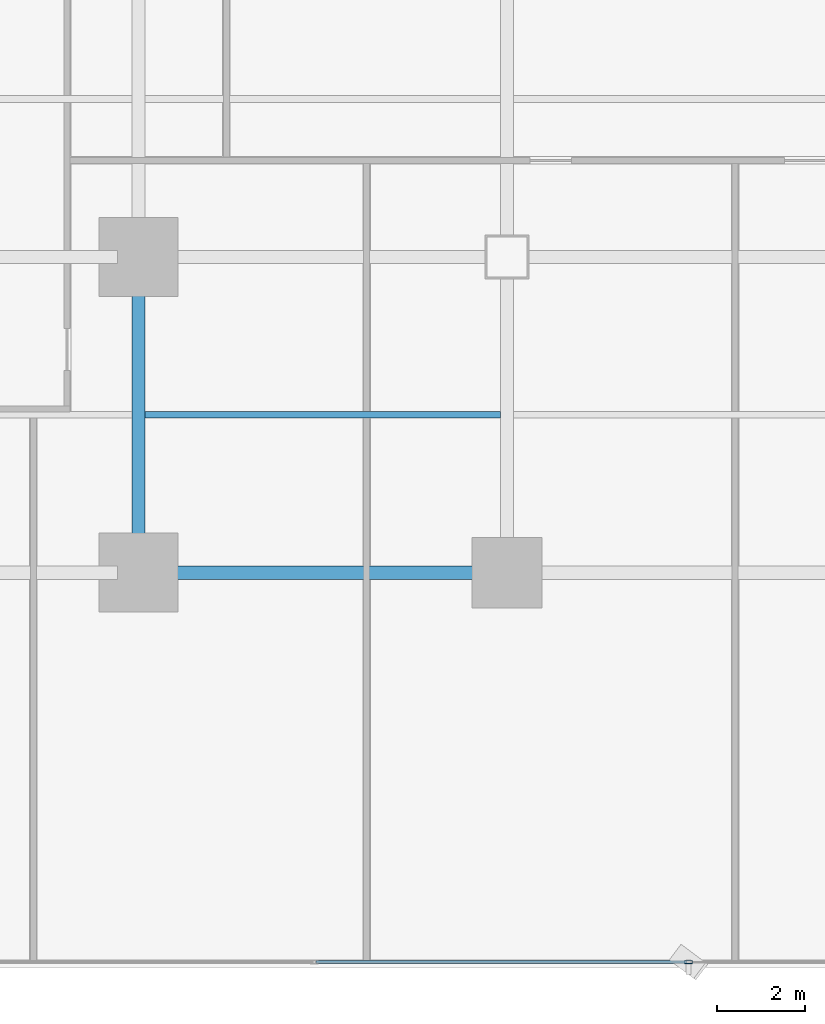
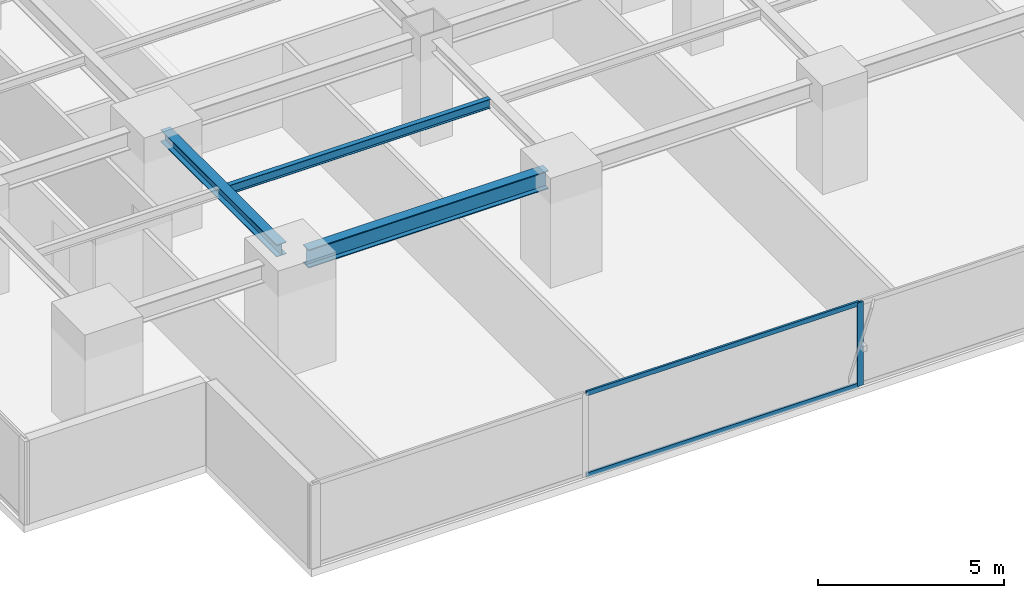
# One storey, part 4 of 34: 3 beams, 3 members, 1 element without a shape of its own.
"""IFC4 building model written with IfcOpenShell, lengths in metres."""

from ifc_helpers import new_model, si_unit, direction, frame, origin, origin_2d, place, context, subcontext, project, spatial, hollow_rectangle, i_section, extrude, source, transform, mapped, material, layer, layer_set, material_profile, profile_set, type_object, element, aggregate, save


model = new_model("IFC4")

# Units and contexts
model_context = context("Model", 3, precision=1e-05, world=origin(), true_north=direction((0.0, 1.0)))
body_context = subcontext(model_context, "Body", "Model", "MODEL_VIEW")
ifc_project = project(units=[si_unit("LENGTHUNIT", "METRE"), si_unit("AREAUNIT", "SQUARE_METRE"), si_unit("VOLUMEUNIT", "CUBIC_METRE"), si_unit("PLANEANGLEUNIT", "RADIAN"), si_unit("MASSUNIT", "GRAM", prefix="KILO")], contexts=[model_context])

# Site, building, storey
site_placement = place(None, origin())
site = spatial("IfcSite", under=ifc_project, at=site_placement, CompositionType="ELEMENT")
building_placement = place(site_placement, origin())
building = spatial("IfcBuilding", under=site, at=building_placement, Name="Sumidabori Civic Tower", CompositionType="ELEMENT")
storey_placement = place(building_placement, frame((0.0, 0.0, 34.39990234375)))
storey = spatial("IfcBuildingStorey", under=building, at=storey_placement, Name="L08", CompositionType="ELEMENT", Elevation=34.39990234375)

# Beams
ifc_material_1 = material(Name="Steel SN490", Category="steel")
ifc_material_profile_1 = material_profile(ifc_material_1, i_section(OverallWidth=0.300048828125, OverallDepth=0.60009765625, WebThickness=0.015380859375, FlangeThickness=0.030029296875, at=origin_2d()), Name="HE 600 B")
ifc_profile_set_1 = profile_set([ifc_material_profile_1], Name="Steel SN490")
beam_type_1 = type_object("IfcBeamType", Name="BM-GIRD-600", PredefinedType="BEAM", material=ifc_profile_set_1)
shared_shape_1 = source(origin(), body_context, "Body", "SweptSolid", [
    extrude(i_section(OverallWidth=0.300048828125, OverallDepth=0.60009765625, WebThickness=0.015380859375, FlangeThickness=0.030029296875, at=origin_2d()), origin(), (0.0, 0.0, 1.0), 7.440185546875),
])
beam_1_placement = place(storey_placement, frame((-16.320068359375, -18.0, 3.06005859375), z_axis=(1.0, 0.0, 0.0), x_axis=(0.0, 1.0, 0.0)))
element("IfcBeam", 1, at=beam_1_placement, inside=storey, type_object=beam_type_1, Name="Primary Girder L08 GX-02", PredefinedType="BEAM", context=body_context, shape_type="MappedRepresentation", body=[
    mapped(shared_shape_1, transform((0.0, 0.0, 0.0), x_axis=(1.0, 0.0, 0.0), y_axis=(0.0, 1.0, 0.0), z_axis=(0.0, 0.0, 1.0), scale=1.0)),
])
ifc_material_profile_2 = material_profile(ifc_material_1, i_section(OverallWidth=0.300048828125, OverallDepth=0.39990234375, WebThickness=0.013427734375, FlangeThickness=0.02392578125, at=origin_2d()), Name="HE 400 B")
ifc_profile_set_2 = profile_set([ifc_material_profile_2], Name="Steel SN490")
beam_type_2 = type_object("IfcBeamType", Name="BM-GIRD-400", PredefinedType="BEAM", material=ifc_profile_set_2)
shared_shape_2 = source(origin(), body_context, "Body", "SweptSolid", [
    extrude(i_section(OverallWidth=0.300048828125, OverallDepth=0.39990234375, WebThickness=0.013427734375, FlangeThickness=0.02392578125, at=origin_2d()), origin(), (0.0, 0.0, 1.0), 6.239990234375),
])
beam_2_placement = place(storey_placement, frame((-16.800048828125, -17.52001953125, 3.16015625), z_axis=(0.0, 1.0, 0.0), x_axis=(-1.0, 0.0, 0.0)))
element("IfcBeam", 2, at=beam_2_placement, inside=storey, type_object=beam_type_2, Name="Primary Girder L08 GY-25", PredefinedType="BEAM", context=body_context, shape_type="MappedRepresentation", body=[
    mapped(shared_shape_2, transform((0.0, 0.0, 0.0), x_axis=(1.0, 0.0, 0.0), y_axis=(0.0, 1.0, 0.0), z_axis=(0.0, 0.0, 1.0), scale=1.0)),
])
ifc_material_profile_3 = material_profile(ifc_material_1, i_section(OverallWidth=0.14990234375, OverallDepth=0.300048828125, WebThickness=0.007080078125, FlangeThickness=0.0107421875, at=origin_2d()), Name="IPE 300")
ifc_profile_set_3 = profile_set([ifc_material_profile_3], Name="Steel SN490")
beam_type_3 = type_object("IfcBeamType", Name="BM-JST-300", PredefinedType="JOIST", material=ifc_profile_set_3)
shared_shape_3 = source(origin(), body_context, "Body", "SweptSolid", [
    extrude(i_section(OverallWidth=0.14990234375, OverallDepth=0.300048828125, WebThickness=0.007080078125, FlangeThickness=0.0107421875, at=origin_2d()), origin(), (0.0, 0.0, 1.0), 8.099853515625),
])
beam_3_placement = place(storey_placement, frame((-16.64990234375, -14.39990234375, 3.210205078125), z_axis=(1.0, 0.0, 0.0), x_axis=(0.0, 1.0, 0.0)))
element("IfcBeam", 3, at=beam_3_placement, inside=storey, type_object=beam_type_3, Name="South Bay Floor Joist L08 JSTS-61", PredefinedType="JOIST", context=body_context, shape_type="MappedRepresentation", body=[
    mapped(shared_shape_3, transform((0.0, 0.0, 0.0), x_axis=(1.0, 0.0, 0.0), y_axis=(0.0, 1.0, 0.0), z_axis=(0.0, 0.0, 1.0), scale=1.0)),
])

# Curtain wall, members
ifc_material_2 = material(Name="Anodised Bronze Aluminium AW-6063-T6", Category="aluminium")
ifc_layer = layer(ifc_material_2, 0.179931640625, Name="Anodised Bronze Aluminium AW-6063-T6")
ifc_layer_set = layer_set([ifc_layer], Name="Anodised Bronze Aluminium AW-6063-T6")
curtain_wall_type = type_object("IfcCurtainWallType", Name="CW-SYS-2", PredefinedType="NOTDEFINED", material=ifc_layer_set)
curtain_wall_placement = place(storey_placement, origin())
curtain_wall = element("IfcCurtainWall", 4, at=curtain_wall_placement, inside=storey, type_object=curtain_wall_type, Name="Curtain Wall CW:L08:R01", PredefinedType="NOTDEFINED")
ifc_material_profile_4 = material_profile(ifc_material_2, hollow_rectangle(XDim=0.070068359375, YDim=0.179931640625, WallThickness=0.006103515625, at=origin_2d()), Name="ALU MULLION 180x70")
ifc_profile_set_4 = profile_set([ifc_material_profile_4], Name="Anodised Bronze Aluminium AW-6063-T6")
member_type_1 = type_object("IfcMemberType", Name="CW-MUL-180", PredefinedType="MULLION", material=ifc_profile_set_4)
shared_shape_4 = source(origin(), body_context, "Body", "SweptSolid", [
    extrude(hollow_rectangle(XDim=0.070068359375, YDim=0.179931640625, WallThickness=0.006103515625, at=origin_2d()), origin(), (0.0, 0.0, 1.0), 2.739990234375),
])
member_1_placement = place(storey_placement, frame((-4.263916015625, -26.8798828125, 0.0), z_axis=(0.0, 0.0, 1.0), x_axis=(0.0, 1.0, 0.0)))
member_1 = element("IfcMember", 5, at=member_1_placement, type_object=member_type_1, Name="CW-2 mullion 3", PredefinedType="MULLION", context=body_context, shape_type="MappedRepresentation", body=[
    mapped(shared_shape_4, transform((0.0, 0.0, 0.0), x_axis=(1.0, 0.0, 0.0), y_axis=(0.0, 1.0, 0.0), z_axis=(0.0, 0.0, 1.0), scale=1.0)),
])
ifc_material_profile_5 = material_profile(ifc_material_2, hollow_rectangle(XDim=0.06494140625, YDim=0.14990234375, WallThickness=0.0048828125, at=origin_2d()), Name="ALU TRANSOM 150x65")
ifc_profile_set_5 = profile_set([ifc_material_profile_5], Name="Anodised Bronze Aluminium AW-6063-T6")
member_type_2 = type_object("IfcMemberType", Name="CW-TRN-150", PredefinedType="USERDEFINED", material=ifc_profile_set_5)
shared_shape_5 = source(origin(), body_context, "Body", "SweptSolid", [
    extrude(hollow_rectangle(XDim=0.06494140625, YDim=0.14990234375, WallThickness=0.0048828125, at=origin_2d()), origin(), (0.0, 0.0, 1.0), 8.4580078125),
])
member_2_placement = place(storey_placement, frame((-12.757080078125, -26.8798828125, 0.03271484375), z_axis=(1.0, 0.0, 0.0), x_axis=(0.0, 1.0, 0.0)))
member_2 = element("IfcMember", 6, at=member_2_placement, type_object=member_type_2, Name="CW-2 transom 2.1", ObjectType="TRANSOM", PredefinedType="USERDEFINED", context=body_context, shape_type="MappedRepresentation", body=[
    mapped(shared_shape_5, transform((0.0, 0.0, 0.0), x_axis=(1.0, 0.0, 0.0), y_axis=(0.0, 1.0, 0.0), z_axis=(0.0, 0.0, 1.0), scale=1.0)),
])
member_3_placement = place(storey_placement, frame((-12.757080078125, -26.8798828125, 2.70751953125), z_axis=(1.0, 0.0, 0.0), x_axis=(0.0, 1.0, 0.0)))
member_3 = element("IfcMember", 7, at=member_3_placement, type_object=member_type_2, Name="CW-2 transom 2.2", ObjectType="TRANSOM", PredefinedType="USERDEFINED", context=body_context, shape_type="MappedRepresentation", body=[
    mapped(shared_shape_5, transform((0.0, 0.0, 0.0), x_axis=(1.0, 0.0, 0.0), y_axis=(0.0, 1.0, 0.0), z_axis=(0.0, 0.0, 1.0), scale=1.0)),
])
aggregate(curtain_wall, [member_1, member_2, member_3])

save(model, "model.ifc")
